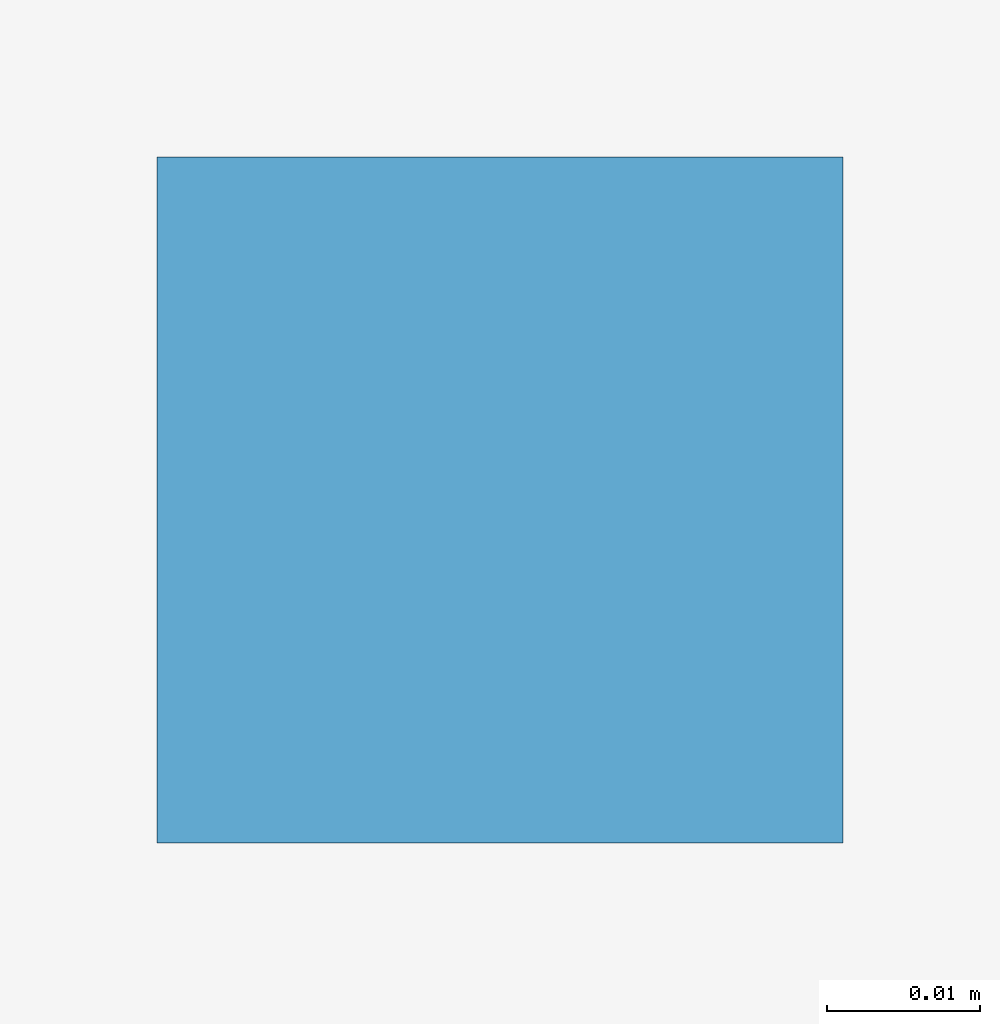
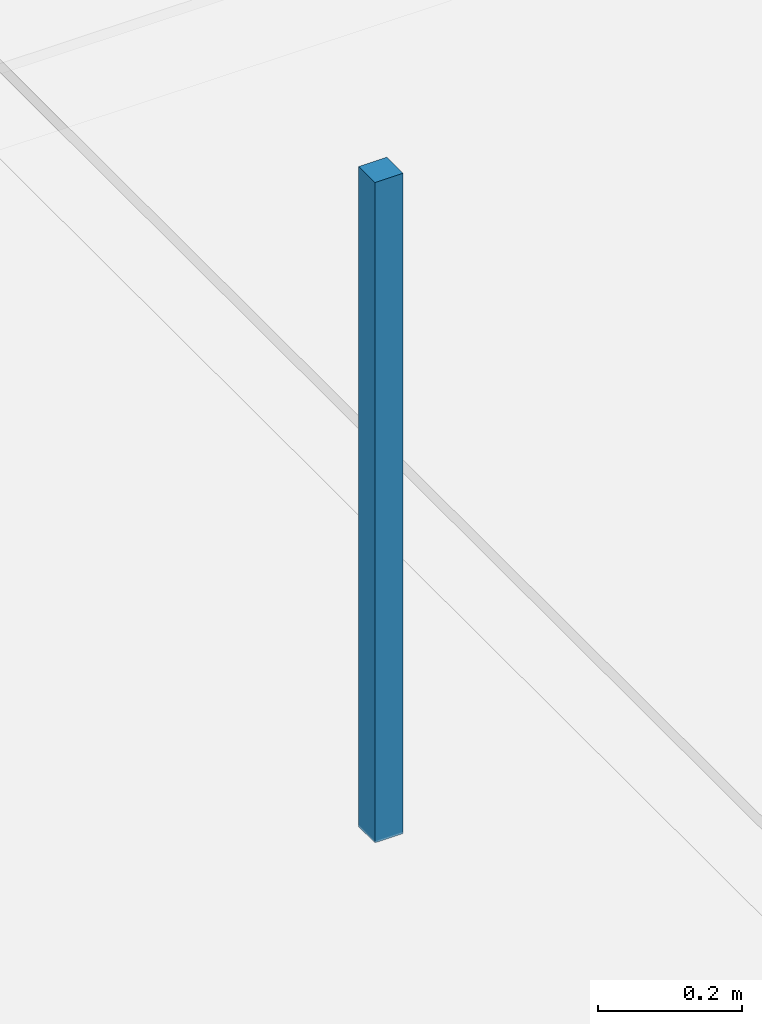
# One storey, part 65 of 89: 1 discrete accessory.
"""IFC4 building model written with IfcOpenShell, lengths in metres."""

from ifc_helpers import new_model, si_unit, direction, frame, origin, origin_2d, place, context, subcontext, project, spatial, rectangle, extrude, material, type_object, element, save


model = new_model("IFC4")

# Units and contexts
model_context = context("Model", 3, precision=1e-05, world=origin(), true_north=direction((0.0, 1.0)))
body_context = subcontext(model_context, "Body", "Model", "MODEL_VIEW")
ifc_project = project(units=[si_unit("LENGTHUNIT", "METRE"), si_unit("AREAUNIT", "SQUARE_METRE"), si_unit("VOLUMEUNIT", "CUBIC_METRE"), si_unit("PLANEANGLEUNIT", "RADIAN"), si_unit("MASSUNIT", "GRAM", prefix="KILO"), si_unit("THERMODYNAMICTEMPERATUREUNIT", "KELVIN"), si_unit("POWERUNIT", "WATT")], contexts=[model_context])

# Site, building, storey
site_placement = place(None, origin())
site = spatial("IfcSite", under=ifc_project, at=site_placement, CompositionType="ELEMENT")
building_placement = place(site_placement, origin())
building = spatial("IfcBuilding", under=site, at=building_placement, Name="Tallowbark Science Centre", CompositionType="ELEMENT")
storey_placement = place(building_placement, frame((0.0, 0.0, 14.39990234375)))
storey = spatial("IfcBuildingStorey", under=building, at=storey_placement, Name="L03", CompositionType="ELEMENT", Elevation=14.39990234375)

# Discrete accessory
ifc_material = material(Name="Galvanised Steel Grade C350L0 (350 MPa)", Category="steel")
discrete_accessory_type = type_object("IfcDiscreteAccessoryType", Name="ACC-CLG-HNG", PredefinedType="BRACKET", material=ifc_material)
discrete_accessory_placement = place(storey_placement, frame((132.3125, 76.58349609375, 3.2060546875), z_axis=(0.0, 0.0, 1.0), x_axis=(1.0, 0.0, 0.0)))
element("IfcDiscreteAccessory", 1, at=discrete_accessory_placement, inside=storey, type_object=discrete_accessory_type, Name="Ceiling Hanger Bracket L03-1039", PredefinedType="BRACKET", context=body_context, shape_type="SweptSolid", body=[
    extrude(rectangle(XDim=0.044921875, YDim=0.044921875, at=origin_2d()), origin(), (0.0, 0.0, 1.0), 1.116943359375),
])

save(model, "model.ifc")
